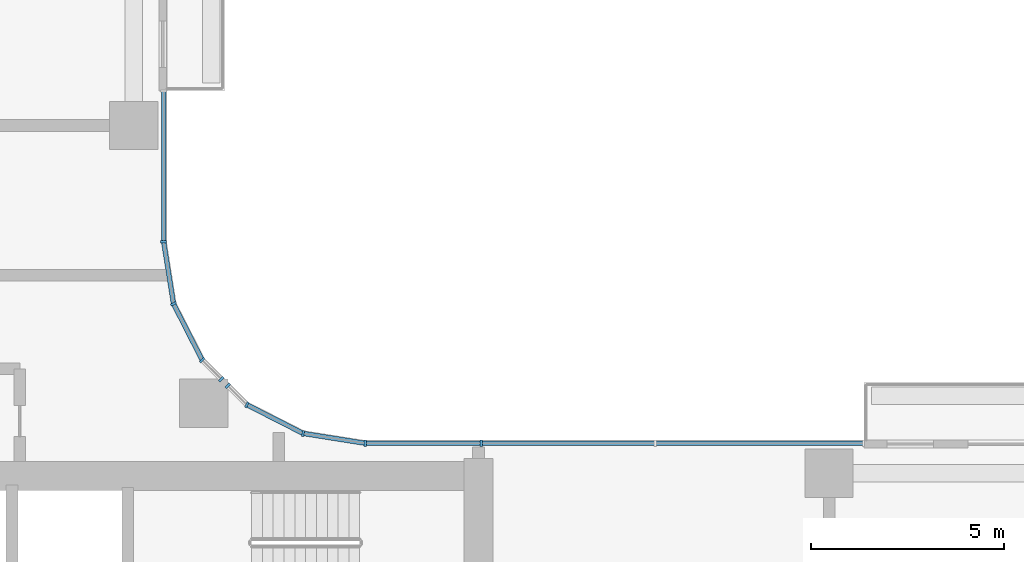
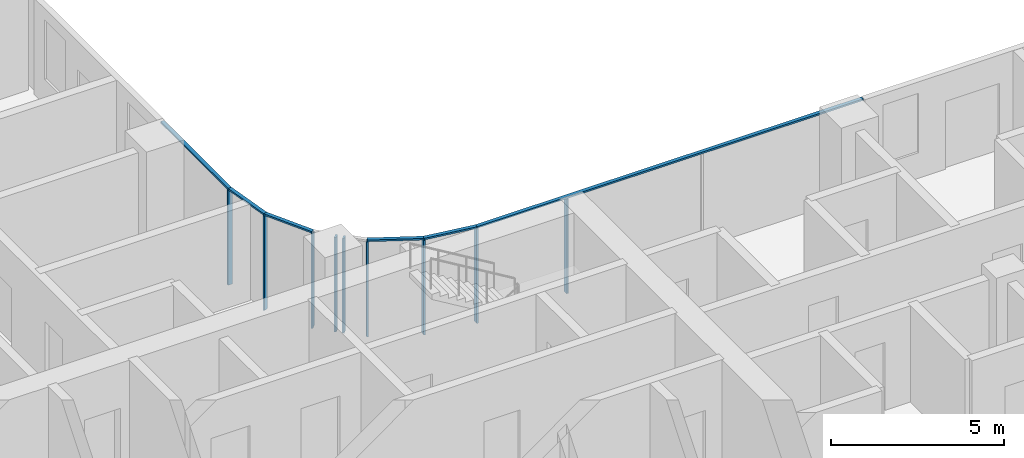
# One storey, part 2 of 35: 15 members, 4 elements without a shape of their own.
"""IFC4 building model written with IfcOpenShell, lengths in metres."""

from ifc_helpers import new_model, si_unit, direction, frame, origin, origin_2d, place, context, subcontext, project, spatial, rectangle, extrude, material, material_profile, profile_set, type_object, element, aggregate, save


model = new_model("IFC4")

# Units and contexts
model_context = context("Model", 3, precision=1e-05, world=origin(), true_north=direction((0.0, 1.0)))
body_context = subcontext(model_context, "Body", "Model", "MODEL_VIEW")
ifc_project = project(units=[si_unit("LENGTHUNIT", "METRE"), si_unit("AREAUNIT", "SQUARE_METRE"), si_unit("VOLUMEUNIT", "CUBIC_METRE"), si_unit("PLANEANGLEUNIT", "RADIAN"), si_unit("MASSUNIT", "GRAM", prefix="KILO")], contexts=[model_context])

# Site, building, storey
site_placement = place(None, origin())
site = spatial("IfcSite", under=ifc_project, at=site_placement, CompositionType="ELEMENT")
building_placement = place(site_placement, origin())
building = spatial("IfcBuilding", under=site, at=building_placement, Name="Ogive Portal Towers", CompositionType="ELEMENT")
storey_placement = place(building_placement, frame((0.0, 0.0, 90.800048828125)))
storey = spatial("IfcBuildingStorey", under=building, at=storey_placement, Name="L21", CompositionType="ELEMENT", Elevation=90.800048828125)

# Curtain wall, members
ifc_material_1 = material(Name="Glass, clear low-iron insulated glazing", Category="glass")
curtain_wall_type = type_object("IfcCurtainWallType", Name="CW FRONT RIBBON 4500", PredefinedType="NOTDEFINED", material=ifc_material_1)
curtain_wall_1_placement = place(storey_placement, origin())
curtain_wall_1 = element("IfcCurtainWall", 1, at=curtain_wall_1_placement, inside=storey, type_object=curtain_wall_type, Name="A:L21:f11:cw1", PredefinedType="NOTDEFINED")
ifc_material_2 = material(Name="Aluminium 6063 anodised", Category="aluminium")
ifc_material_profile_1 = material_profile(ifc_material_2, rectangle(XDim=0.159912109375, YDim=0.06005859375, at=origin_2d()), Name="AL 60x160")
ifc_profile_set_1 = profile_set([ifc_material_profile_1], Name="Aluminium 6063 anodised")
member_type_1 = type_object("IfcMemberType", Name="CW MULLION 60x160", PredefinedType="MULLION", material=ifc_profile_set_1)
member_1_placement = place(storey_placement, frame((58.5, 40.27490234375, 0.0), z_axis=(0.0, 0.0, 1.0), x_axis=(0.0, -1.0, 0.0)))
member_1 = element("IfcMember", 2, at=member_1_placement, type_object=member_type_1, Name="mullion", PredefinedType="MULLION", context=body_context, shape_type="SweptSolid", body=[
    extrude(rectangle(XDim=0.159912109375, YDim=0.06005859375, at=origin_2d()), origin(), (0.0, 0.0, 1.0), 3.33984375),
])
member_2_placement = place(storey_placement, frame((55.49365234375, 40.27490234375, 0.0), z_axis=(0.0, 0.0, 1.0), x_axis=(0.0, -1.0, 0.0)))
member_2 = element("IfcMember", 3, at=member_2_placement, type_object=member_type_1, Name="mullion", PredefinedType="MULLION", context=body_context, shape_type="SweptSolid", body=[
    extrude(rectangle(XDim=0.159912109375, YDim=0.06005859375, at=origin_2d()), origin(), (0.0, 0.0, 1.0), 3.33984375),
])

# Curtain wall, member
curtain_wall_2_placement = place(storey_placement, origin())
curtain_wall_2 = element("IfcCurtainWall", 4, at=curtain_wall_2_placement, inside=storey, type_object=curtain_wall_type, Name="A:L21:f17:cw0", PredefinedType="NOTDEFINED")
member_3_placement = place(storey_placement, frame((50.27490234375, 45.49365234375, 0.0), z_axis=(0.0, 0.0, 1.0), x_axis=(-1.0, 0.0, 0.0)))
member_3 = element("IfcMember", 5, at=member_3_placement, type_object=member_type_1, Name="mullion", PredefinedType="MULLION", context=body_context, shape_type="SweptSolid", body=[
    extrude(rectangle(XDim=0.159912109375, YDim=0.06005859375, at=origin_2d()), origin(), (0.0, 0.0, 1.0), 3.33984375),
])

# Curtain wall, members
curtain_wall_3_placement = place(storey_placement, origin())
curtain_wall_3 = element("IfcCurtainWall", 6, at=curtain_wall_3_placement, inside=storey, type_object=curtain_wall_type, Name="A:L21:f12:cwa~0", PredefinedType="NOTDEFINED")
member_4_placement = place(storey_placement, frame((53.885009765625, 40.52978515625, 0.0), z_axis=(0.0, 0.0, 1.0), x_axis=(-0.15643446504, -0.987688340595, 0.0)))
member_4 = element("IfcMember", 7, at=member_4_placement, type_object=member_type_1, Name="mullion", PredefinedType="MULLION", context=body_context, shape_type="SweptSolid", body=[
    extrude(rectangle(XDim=0.159912109375, YDim=0.06005859375, at=origin_2d()), origin(), (0.0, 0.0, 1.0), 3.33984375),
])
member_5_placement = place(storey_placement, frame((52.42822265625, 41.27197265625, 0.0), z_axis=(0.0, 0.0, 1.0), x_axis=(-0.45399049974, -0.891006524188, 0.0)))
member_5 = element("IfcMember", 8, at=member_5_placement, type_object=member_type_1, Name="mullion", PredefinedType="MULLION", context=body_context, shape_type="SweptSolid", body=[
    extrude(rectangle(XDim=0.159912109375, YDim=0.06005859375, at=origin_2d()), origin(), (0.0, 0.0, 1.0), 3.33984375),
])
member_6_placement = place(storey_placement, frame((51.93505859375, 41.765380859375, 0.0), z_axis=(0.0, 0.0, 1.0), x_axis=(-0.707106781187, -0.707106781187, 0.0)))
member_6 = element("IfcMember", 9, at=member_6_placement, type_object=member_type_1, Name="mullion", PredefinedType="MULLION", context=body_context, shape_type="SweptSolid", body=[
    extrude(rectangle(XDim=0.159912109375, YDim=0.06005859375, at=origin_2d()), origin(), (0.0, 0.0, 1.0), 3.33984375),
])

curtain_wall_4_placement = place(storey_placement, origin())
curtain_wall_4 = element("IfcCurtainWall", 10, at=curtain_wall_4_placement, inside=storey, type_object=curtain_wall_type, Name="A:L21:f12:cwa~1", PredefinedType="NOTDEFINED")
member_7_placement = place(storey_placement, frame((51.765380859375, 41.93505859375, 0.0), z_axis=(0.0, 0.0, 1.0), x_axis=(-0.707106781187, -0.707106781187, 0.0)))
member_7 = element("IfcMember", 11, at=member_7_placement, type_object=member_type_1, Name="mullion", PredefinedType="MULLION", context=body_context, shape_type="SweptSolid", body=[
    extrude(rectangle(XDim=0.159912109375, YDim=0.06005859375, at=origin_2d()), origin(), (0.0, 0.0, 1.0), 3.33984375),
])
member_8_placement = place(storey_placement, frame((51.27197265625, 42.42822265625, 0.0), z_axis=(0.0, 0.0, 1.0), x_axis=(-0.707106781187, -0.707106781187, 0.0)))
member_8 = element("IfcMember", 12, at=member_8_placement, type_object=member_type_1, Name="mullion", PredefinedType="MULLION", context=body_context, shape_type="SweptSolid", body=[
    extrude(rectangle(XDim=0.159912109375, YDim=0.06005859375, at=origin_2d()), origin(), (0.0, 0.0, 1.0), 3.33984375),
])
member_9_placement = place(storey_placement, frame((50.52978515625, 43.885009765625, 0.0), z_axis=(0.0, 0.0, 1.0), x_axis=(-0.891006524188, -0.45399049974, 0.0)))
member_9 = element("IfcMember", 13, at=member_9_placement, type_object=member_type_1, Name="mullion", PredefinedType="MULLION", context=body_context, shape_type="SweptSolid", body=[
    extrude(rectangle(XDim=0.159912109375, YDim=0.06005859375, at=origin_2d()), origin(), (0.0, 0.0, 1.0), 3.33984375),
])

# Member
ifc_material_profile_2 = material_profile(ifc_material_2, rectangle(XDim=0.1201171875, YDim=0.06005859375, at=origin_2d()), Name="AL 120x60")
ifc_profile_set_2 = profile_set([ifc_material_profile_2], Name="Aluminium 6063 anodised")
member_type_2 = type_object("IfcMemberType", Name="CW TRANSOM 60x120", PredefinedType="USERDEFINED", material=ifc_profile_set_2)
member_10_placement = place(storey_placement, frame((68.388916015625, 40.27490234375, 3.369873046875), z_axis=(-1.0, 0.0, 0.0), x_axis=(0.0, -1.0, 0.0)))
member_10 = element("IfcMember", 14, at=member_10_placement, type_object=member_type_2, Name="transom", ObjectType="TRANSOM", PredefinedType="USERDEFINED", context=body_context, shape_type="SweptSolid", body=[
    extrude(rectangle(XDim=0.1201171875, YDim=0.06005859375, at=origin_2d()), origin(), (0.0, 0.0, 1.0), 12.895263671875),
])

aggregate(curtain_wall_1, [member_10, member_1, member_2])

member_11_placement = place(storey_placement, frame((50.27490234375, 45.49365234375, 3.369873046875), z_axis=(0.0, 1.0, 0.0), x_axis=(-1.0, 0.0, 0.0)))
member_11 = element("IfcMember", 15, at=member_11_placement, type_object=member_type_2, Name="transom", ObjectType="TRANSOM", PredefinedType="USERDEFINED", context=body_context, shape_type="SweptSolid", body=[
    extrude(rectangle(XDim=0.1201171875, YDim=0.06005859375, at=origin_2d()), origin(), (0.0, 0.0, 1.0), 3.89892578125),
])

aggregate(curtain_wall_2, [member_11, member_3])

member_12_placement = place(storey_placement, frame((55.49365234375, 40.27490234375, 3.369873046875), z_axis=(-0.987678960592, 0.156493676561, 0.0), x_axis=(-0.156493676561, -0.987678960592, 0.0)))
member_12 = element("IfcMember", 16, at=member_12_placement, type_object=member_type_2, Name="transom", ObjectType="TRANSOM", PredefinedType="USERDEFINED", context=body_context, shape_type="SweptSolid", body=[
    extrude(rectangle(XDim=0.1201171875, YDim=0.06005859375, at=origin_2d()), origin(), (0.0, 0.0, 1.0), 1.628662109375),
])

member_13_placement = place(storey_placement, frame((53.885009765625, 40.52978515625, 3.369873046875), z_axis=(-0.891026961257, 0.453950387502, 0.0), x_axis=(-0.453950387502, -0.891026961257, 0.0)))
member_13 = element("IfcMember", 17, at=member_13_placement, type_object=member_type_2, Name="transom", ObjectType="TRANSOM", PredefinedType="USERDEFINED", context=body_context, shape_type="SweptSolid", body=[
    extrude(rectangle(XDim=0.1201171875, YDim=0.06005859375, at=origin_2d()), origin(), (0.0, 0.0, 1.0), 1.635009765625),
])

aggregate(curtain_wall_3, [member_12, member_13, member_4, member_5, member_6])

member_14_placement = place(storey_placement, frame((51.27197265625, 42.42822265625, 3.369873046875), z_axis=(-0.453950387502, 0.891026961257, 0.0), x_axis=(-0.891026961257, -0.453950387502, 0.0)))
member_14 = element("IfcMember", 18, at=member_14_placement, type_object=member_type_2, Name="transom", ObjectType="TRANSOM", PredefinedType="USERDEFINED", context=body_context, shape_type="SweptSolid", body=[
    extrude(rectangle(XDim=0.1201171875, YDim=0.06005859375, at=origin_2d()), origin(), (0.0, 0.0, 1.0), 1.635009765625),
])

member_15_placement = place(storey_placement, frame((50.52978515625, 43.885009765625, 3.369873046875), z_axis=(-0.156493676561, 0.987678960592, 0.0), x_axis=(-0.987678960592, -0.156493676561, 0.0)))
member_15 = element("IfcMember", 19, at=member_15_placement, type_object=member_type_2, Name="transom", ObjectType="TRANSOM", PredefinedType="USERDEFINED", context=body_context, shape_type="SweptSolid", body=[
    extrude(rectangle(XDim=0.1201171875, YDim=0.06005859375, at=origin_2d()), origin(), (0.0, 0.0, 1.0), 1.628662109375),
])

aggregate(curtain_wall_4, [member_14, member_15, member_7, member_8, member_9])

save(model, "model.ifc")
